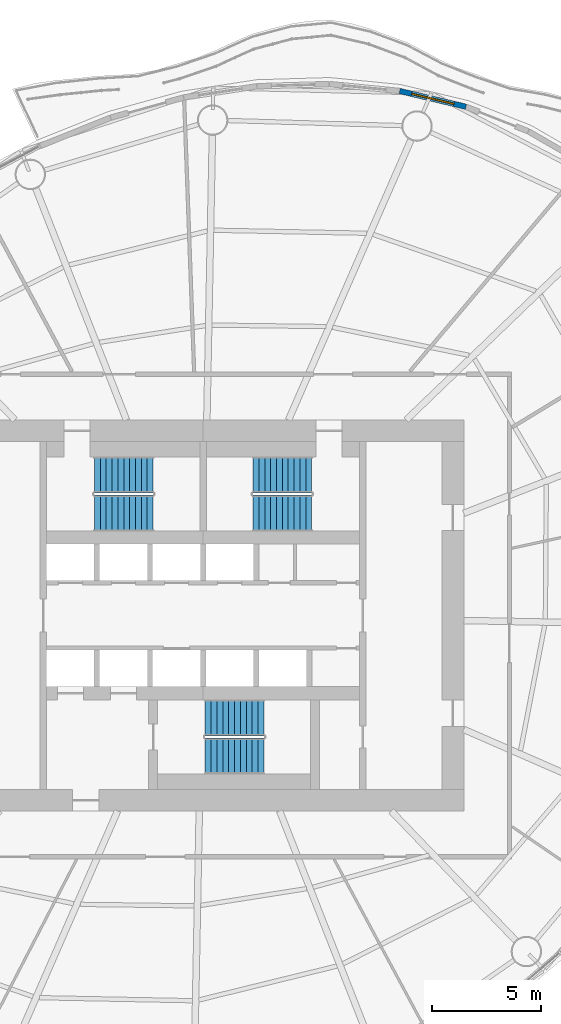
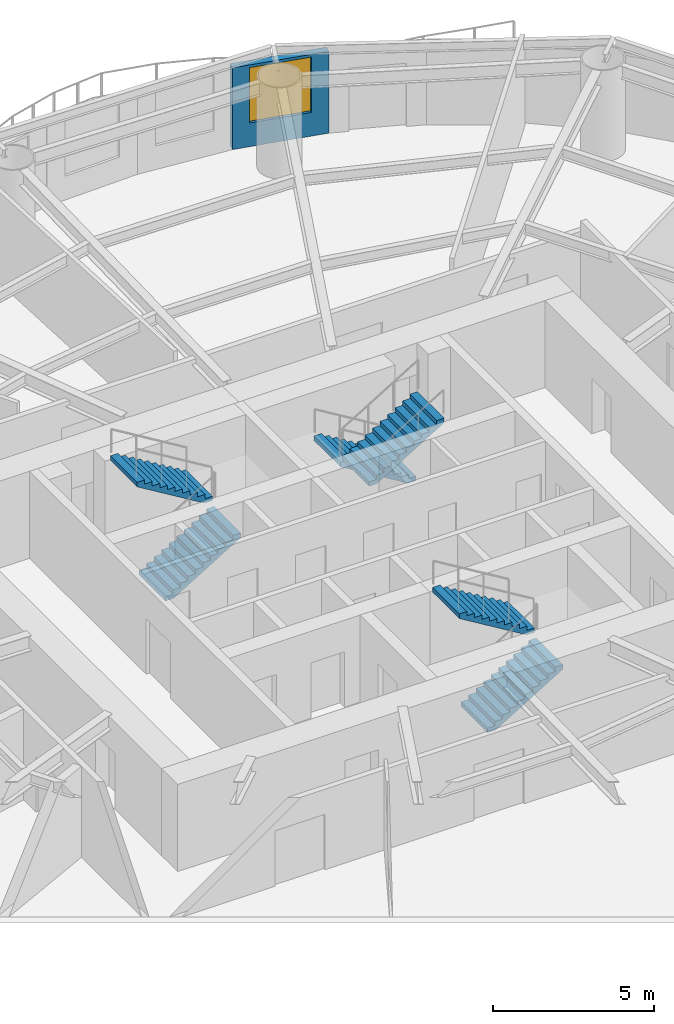
# One storey, part 11 of 15: 6 stair flights, 1 wall, 1 window, 1 opening, 3 elements without a shape of their own.
"""IFC4 building model written with IfcOpenShell, lengths in metres."""

from ifc_helpers import new_model, si_unit, direction, frame, frame_2d, origin, place, context, subcontext, project, spatial, polyline, rectangle, outline, extrude, material, layer, layer_set, type_object, element, fill, aggregate, save


model = new_model("IFC4")

# Units and contexts
model_context = context("Model", 3, precision=1e-05, world=origin(), true_north=direction((0.0, 1.0)))
body_context = subcontext(model_context, "Body", "Model", "MODEL_VIEW")
ifc_project = project(units=[si_unit("LENGTHUNIT", "METRE"), si_unit("AREAUNIT", "SQUARE_METRE"), si_unit("VOLUMEUNIT", "CUBIC_METRE"), si_unit("PLANEANGLEUNIT", "RADIAN"), si_unit("MASSUNIT", "GRAM", prefix="KILO")], contexts=[model_context])

# Site, building, storey
site_placement = place(None, origin())
site = spatial("IfcSite", under=ifc_project, at=site_placement, CompositionType="ELEMENT")
building_placement = place(site_placement, origin())
building = spatial("IfcBuilding", under=site, at=building_placement, Name="Vermilion Reach Broadcast Tower", CompositionType="ELEMENT")
storey_placement = place(building_placement, frame((0.0, 0.0, 183.0)))
storey = spatial("IfcBuildingStorey", under=building, at=storey_placement, Name="L44", CompositionType="ELEMENT", Elevation=183.0)

# Wall, opening, window
ifc_material_1 = material(Name="Terracotta rainscreen cladding", Category="masonry")
ifc_layer = layer(ifc_material_1, 0.25)
ifc_layer_set = layer_set([ifc_layer], Name="Terracotta rainscreen wall 250")
wall_type = type_object("IfcWallType", Name="Terracotta rainscreen wall 250", PredefinedType="SOLIDWALL", material=ifc_layer_set)
wall_placement = place(storey_placement, frame((6.097900390625, 23.413818359375, 0.0), z_axis=(0.0, 0.0, 1.0), x_axis=(-0.972913986276, 0.231167418353, 0.0)))
wall = element("IfcWall", 1, at=wall_placement, inside=storey, type_object=wall_type, Name="External wall L44 04", PredefinedType="SOLIDWALL", context=body_context, shape_type="SweptSolid", body=[
    extrude(rectangle(XDim=3.132568359375, YDim=0.25, at=frame_2d((1.56640625, 0.0))), origin(), (0.0, 0.0, 1.0), 3.10009765625),
])
opening_placement = place(wall_placement, frame((0.566162109375, 0.0, 0.89990234375)))
opening = element("IfcOpeningElement", 2, at=opening_placement, cuts=wall, Name="Opening W03", PredefinedType="OPENING", context=body_context, shape_type="SweptSolid", body=[
    extrude(rectangle(XDim=2.0, YDim=2.10009765625, at=frame_2d((1.0, 1.050048828125))), frame((0.0, 0.135009765625, 0.0), z_axis=(0.0, -1.0, 0.0), x_axis=(1.0, 0.0, 0.0)), (0.0, 0.0, 1.0), 0.27001953125),
])
ifc_material_2 = material(Name="Low-e laminated clear glass in aluminium frame", Category="aluminium")
window_type = type_object("IfcWindowType", Name="Punched window 2000 x 2100 sill 900", PartitioningType="SINGLE_PANEL", PredefinedType="WINDOW", material=ifc_material_2)
window_placement = place(opening_placement, origin())
window = element("IfcWindow", 3, at=window_placement, inside=storey, type_object=window_type, Name="Window L44 04", OverallHeight=2.10009765625, OverallWidth=2.0, PartitioningType="SINGLE_PANEL", PredefinedType="WINDOW", context=body_context, shape_type="SweptSolid", body=[
    extrude(rectangle(XDim=2.0, YDim=2.10009765625, at=frame_2d((1.0, 1.050048828125))), frame((0.0, 0.030029296875, 0.0), z_axis=(0.0, -1.0, 0.0), x_axis=(1.0, 0.0, 0.0)), (0.0, 0.0, 1.0), 0.06005859375),
])
fill(opening, window)

# Stair, stair flights
ifc_material_3 = material(Name="Concrete C40", Category="concrete")
stair_type = type_object("IfcStairType", Name="Exit stair RC 22 risers 164 mm", PredefinedType="HALF_TURN_STAIR", material=ifc_material_3)
placement = place(storey_placement, origin())
stair_1 = element("IfcStair", 4, at=placement, inside=storey, type_object=stair_type, Name="L44 Exit stair ST1", PredefinedType="HALF_TURN_STAIR")
ifc_material_4 = material(Name="Concrete C40", Category="concrete")
stair_flight_type = type_object("IfcStairFlightType", Name="Exit stair flight RC 11 risers", PredefinedType="STRAIGHT", material=ifc_material_4)
stair_flight_1_placement = place(storey_placement, frame((-11.0, 4.7099609375, 0.0), z_axis=(0.0, 0.0, 1.0), x_axis=(1.0, 0.0, 0.0)))
stair_flight_1 = element("IfcStairFlight", 5, at=stair_flight_1_placement, type_object=stair_flight_type, Name="ST1 flight 1", NumberOfRisers=11, NumberOfTreads=10, PredefinedType="STRAIGHT", RiserHeight=0.163636364, TreadLength=0.27, context=body_context, shape_type="SweptSolid", body=[
    extrude(outline(polyline([(0.0, 0.0), (0.0, 0.16357421875), (0.27001953125, 0.16357421875), (0.27001953125, 0.327392578125), (0.5400390625, 0.327392578125), (0.5400390625, 0.490966796875), (0.81005859375, 0.490966796875), (0.81005859375, 0.654541015625), (1.080078125, 0.654541015625), (1.080078125, 0.818115234375), (1.35009765625, 0.818115234375), (1.35009765625, 0.98193359375), (1.6201171875, 0.98193359375), (1.6201171875, 1.1455078125), (1.889892578125, 1.1455078125), (1.889892578125, 1.30908203125), (2.159912109375, 1.30908203125), (2.159912109375, 1.47265625), (2.429931640625, 1.47265625), (2.429931640625, 1.636474609375), (2.699951171875, 1.636474609375), (2.699951171875, 1.800048828125), (2.699951171875, 1.461181640625), (0.289306640625, 0.0), (0.0, 0.0)])), frame((0.0, 0.830078125, 0.0), z_axis=(0.0, -1.0, 0.0), x_axis=(1.0, 0.0, 0.0)), (0.0, 0.0, 1.0), 1.659912109375),
])
stair_flight_2_placement = place(storey_placement, frame((-8.300048828125, 6.469970703125, 1.800048828125), z_axis=(0.0, 0.0, 1.0), x_axis=(-1.0, 0.0, 0.0)))
stair_flight_2 = element("IfcStairFlight", 6, at=stair_flight_2_placement, type_object=stair_flight_type, Name="ST1 flight 2", NumberOfRisers=11, NumberOfTreads=10, PredefinedType="STRAIGHT", RiserHeight=0.163636364, TreadLength=0.27, context=body_context, shape_type="SweptSolid", body=[
    extrude(outline(polyline([(0.0, 0.0), (0.0, 0.16357421875), (0.27001953125, 0.16357421875), (0.27001953125, 0.327392578125), (0.5400390625, 0.327392578125), (0.5400390625, 0.490966796875), (0.81005859375, 0.490966796875), (0.81005859375, 0.654541015625), (1.080078125, 0.654541015625), (1.080078125, 0.818115234375), (1.35009765625, 0.818115234375), (1.35009765625, 0.98193359375), (1.6201171875, 0.98193359375), (1.6201171875, 1.1455078125), (1.889892578125, 1.1455078125), (1.889892578125, 1.30908203125), (2.159912109375, 1.30908203125), (2.159912109375, 1.47265625), (2.429931640625, 1.47265625), (2.429931640625, 1.636474609375), (2.699951171875, 1.636474609375), (2.699951171875, 1.800048828125), (2.699951171875, 1.461181640625), (0.289306640625, 0.0), (0.0, 0.0)])), frame((0.0, 0.830078125, 0.0), z_axis=(0.0, -1.0, 0.0), x_axis=(1.0, 0.0, 0.0)), (0.0, 0.0, 1.0), 1.659912109375),
])
aggregate(stair_1, [stair_flight_1, stair_flight_2])

stair_2 = element("IfcStair", 7, at=placement, inside=storey, type_object=stair_type, Name="L44 Exit stair ST2", PredefinedType="HALF_TURN_STAIR")
stair_flight_3_placement = place(storey_placement, frame((-1.0, 6.469970703125, 0.0), z_axis=(0.0, 0.0, 1.0), x_axis=(-1.0, 0.0, 0.0)))
stair_flight_3 = element("IfcStairFlight", 8, at=stair_flight_3_placement, type_object=stair_flight_type, Name="ST2 flight 1", NumberOfRisers=11, NumberOfTreads=10, PredefinedType="STRAIGHT", RiserHeight=0.163636364, TreadLength=0.27, context=body_context, shape_type="SweptSolid", body=[
    extrude(outline(polyline([(0.0, 0.0), (0.0, 0.16357421875), (0.27001953125, 0.16357421875), (0.27001953125, 0.327392578125), (0.5400390625, 0.327392578125), (0.5400390625, 0.490966796875), (0.81005859375, 0.490966796875), (0.81005859375, 0.654541015625), (1.080078125, 0.654541015625), (1.080078125, 0.818115234375), (1.35009765625, 0.818115234375), (1.35009765625, 0.98193359375), (1.6201171875, 0.98193359375), (1.6201171875, 1.1455078125), (1.889892578125, 1.1455078125), (1.889892578125, 1.30908203125), (2.159912109375, 1.30908203125), (2.159912109375, 1.47265625), (2.429931640625, 1.47265625), (2.429931640625, 1.636474609375), (2.699951171875, 1.636474609375), (2.699951171875, 1.800048828125), (2.699951171875, 1.461181640625), (0.289306640625, 0.0), (0.0, 0.0)])), frame((0.0, 0.830078125, 0.0), z_axis=(0.0, -1.0, 0.0), x_axis=(1.0, 0.0, 0.0)), (0.0, 0.0, 1.0), 1.659912109375),
])
stair_flight_4_placement = place(storey_placement, frame((-3.699951171875, 4.7099609375, 1.800048828125), z_axis=(0.0, 0.0, 1.0), x_axis=(1.0, 0.0, 0.0)))
stair_flight_4 = element("IfcStairFlight", 9, at=stair_flight_4_placement, type_object=stair_flight_type, Name="ST2 flight 2", NumberOfRisers=11, NumberOfTreads=10, PredefinedType="STRAIGHT", RiserHeight=0.163636364, TreadLength=0.27, context=body_context, shape_type="SweptSolid", body=[
    extrude(outline(polyline([(0.0, 0.0), (0.0, 0.16357421875), (0.27001953125, 0.16357421875), (0.27001953125, 0.327392578125), (0.5400390625, 0.327392578125), (0.5400390625, 0.490966796875), (0.81005859375, 0.490966796875), (0.81005859375, 0.654541015625), (1.080078125, 0.654541015625), (1.080078125, 0.818115234375), (1.35009765625, 0.818115234375), (1.35009765625, 0.98193359375), (1.6201171875, 0.98193359375), (1.6201171875, 1.1455078125), (1.889892578125, 1.1455078125), (1.889892578125, 1.30908203125), (2.159912109375, 1.30908203125), (2.159912109375, 1.47265625), (2.429931640625, 1.47265625), (2.429931640625, 1.636474609375), (2.699951171875, 1.636474609375), (2.699951171875, 1.800048828125), (2.699951171875, 1.461181640625), (0.289306640625, 0.0), (0.0, 0.0)])), frame((0.0, 0.830078125, 0.0), z_axis=(0.0, -1.0, 0.0), x_axis=(1.0, 0.0, 0.0)), (0.0, 0.0, 1.0), 1.659912109375),
])
aggregate(stair_2, [stair_flight_3, stair_flight_4])

stair_3 = element("IfcStair", 10, at=placement, inside=storey, type_object=stair_type, Name="L44 Exit stair ST3", PredefinedType="HALF_TURN_STAIR")
stair_flight_5_placement = place(storey_placement, frame((-5.89990234375, -6.469970703125, 0.0), z_axis=(0.0, 0.0, 1.0), x_axis=(1.0, 0.0, 0.0)))
stair_flight_5 = element("IfcStairFlight", 11, at=stair_flight_5_placement, type_object=stair_flight_type, Name="ST3 flight 1", NumberOfRisers=11, NumberOfTreads=10, PredefinedType="STRAIGHT", RiserHeight=0.163636364, TreadLength=0.27, context=body_context, shape_type="SweptSolid", body=[
    extrude(outline(polyline([(0.0, 0.0), (0.0, 0.16357421875), (0.27001953125, 0.16357421875), (0.27001953125, 0.327392578125), (0.5400390625, 0.327392578125), (0.5400390625, 0.490966796875), (0.81005859375, 0.490966796875), (0.81005859375, 0.654541015625), (1.080078125, 0.654541015625), (1.080078125, 0.818115234375), (1.35009765625, 0.818115234375), (1.35009765625, 0.98193359375), (1.6201171875, 0.98193359375), (1.6201171875, 1.1455078125), (1.889892578125, 1.1455078125), (1.889892578125, 1.30908203125), (2.159912109375, 1.30908203125), (2.159912109375, 1.47265625), (2.429931640625, 1.47265625), (2.429931640625, 1.636474609375), (2.699951171875, 1.636474609375), (2.699951171875, 1.800048828125), (2.699951171875, 1.461181640625), (0.289306640625, 0.0), (0.0, 0.0)])), frame((0.0, 0.830078125, 0.0), z_axis=(0.0, -1.0, 0.0), x_axis=(1.0, 0.0, 0.0)), (0.0, 0.0, 1.0), 1.659912109375),
])
stair_flight_6_placement = place(storey_placement, frame((-3.199951171875, -4.7099609375, 1.800048828125), z_axis=(0.0, 0.0, 1.0), x_axis=(-1.0, 0.0, 0.0)))
stair_flight_6 = element("IfcStairFlight", 12, at=stair_flight_6_placement, type_object=stair_flight_type, Name="ST3 flight 2", NumberOfRisers=11, NumberOfTreads=10, PredefinedType="STRAIGHT", RiserHeight=0.163636364, TreadLength=0.27, context=body_context, shape_type="SweptSolid", body=[
    extrude(outline(polyline([(0.0, 0.0), (0.0, 0.16357421875), (0.27001953125, 0.16357421875), (0.27001953125, 0.327392578125), (0.5400390625, 0.327392578125), (0.5400390625, 0.490966796875), (0.81005859375, 0.490966796875), (0.81005859375, 0.654541015625), (1.080078125, 0.654541015625), (1.080078125, 0.818115234375), (1.35009765625, 0.818115234375), (1.35009765625, 0.98193359375), (1.6201171875, 0.98193359375), (1.6201171875, 1.1455078125), (1.889892578125, 1.1455078125), (1.889892578125, 1.30908203125), (2.159912109375, 1.30908203125), (2.159912109375, 1.47265625), (2.429931640625, 1.47265625), (2.429931640625, 1.636474609375), (2.699951171875, 1.636474609375), (2.699951171875, 1.800048828125), (2.699951171875, 1.461181640625), (0.289306640625, 0.0), (0.0, 0.0)])), frame((0.0, 0.830078125, 0.0), z_axis=(0.0, -1.0, 0.0), x_axis=(1.0, 0.0, 0.0)), (0.0, 0.0, 1.0), 1.659912109375),
])
aggregate(stair_3, [stair_flight_5, stair_flight_6])

save(model, "model.ifc")
